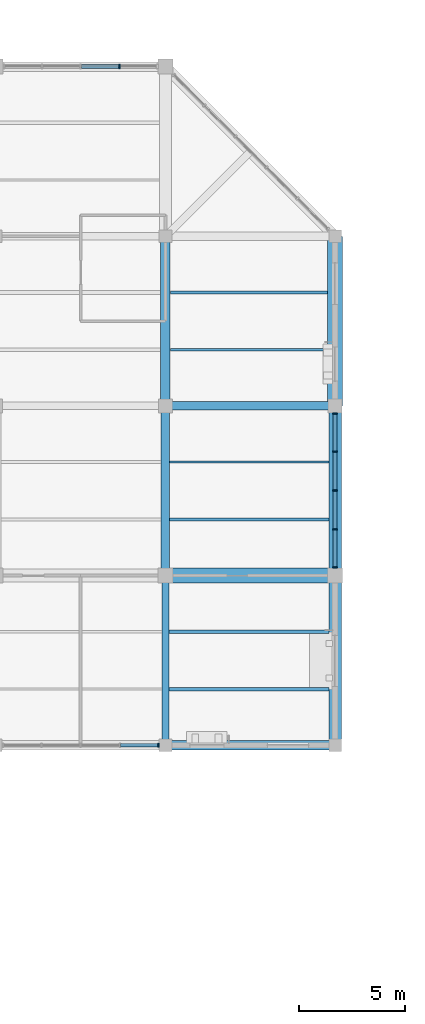
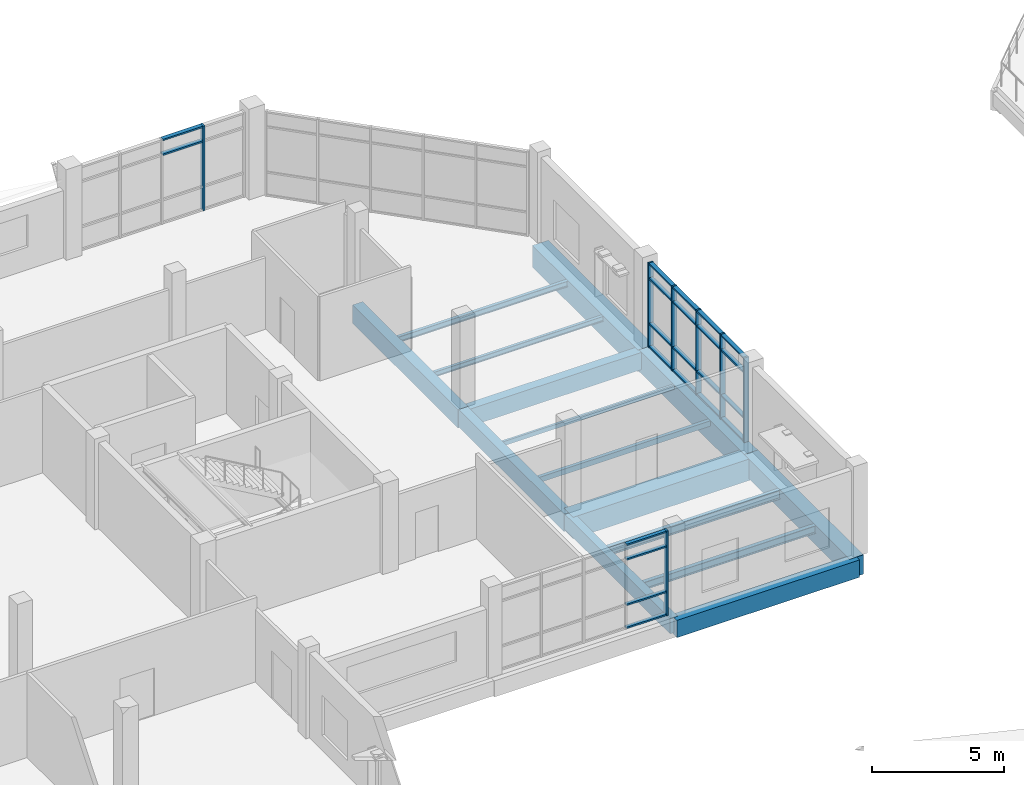
# One storey, part 34 of 84: 29 members, 15 beams, 3 elements without a shape of their own.
"""IFC4 building model written with IfcOpenShell, lengths in metres."""

from ifc_helpers import new_model, si_unit, direction, frame, origin, origin_2d, place, context, subcontext, project, spatial, rectangle, hollow_rectangle, i_section, extrude, material, material_profile, profile_set, type_object, element, aggregate, save


model = new_model("IFC4")

# Units and contexts
model_context = context("Model", 3, precision=1e-05, world=origin(), true_north=direction((0.0, 1.0)))
body_context = subcontext(model_context, "Body", "Model", "MODEL_VIEW")
ifc_project = project(units=[si_unit("LENGTHUNIT", "METRE"), si_unit("AREAUNIT", "SQUARE_METRE"), si_unit("VOLUMEUNIT", "CUBIC_METRE"), si_unit("PLANEANGLEUNIT", "RADIAN"), si_unit("MASSUNIT", "GRAM", prefix="KILO")], contexts=[model_context])

# Site, building, storey
site_placement = place(None, origin())
site = spatial("IfcSite", under=ifc_project, at=site_placement, CompositionType="ELEMENT")
building_placement = place(site_placement, origin())
building = spatial("IfcBuilding", under=site, at=building_placement, Name="Tenunan Teduh Sports Hall", CompositionType="ELEMENT")
storey_placement = place(building_placement, frame((0.0, 0.0, 10.800048828125)))
storey = spatial("IfcBuildingStorey", under=building, at=storey_placement, Name="L02", CompositionType="ELEMENT", Elevation=10.800048828125)

# Beams
ifc_material_1 = material(Name="Concrete C40/50", Category="concrete")
ifc_material_profile_1 = material_profile(ifc_material_1, rectangle(XDim=0.35009765625, YDim=0.699951171875, at=origin_2d()), Name="RCB 350x700")
ifc_profile_set_1 = profile_set([ifc_material_profile_1], Name="Concrete C40/50")
beam_type_1 = type_object("IfcBeamType", Name="BM-RC-350x700", PredefinedType="BEAM", material=ifc_profile_set_1)
beam_1_placement = place(storey_placement, frame((70.0, 86.0, -0.610107421875), z_axis=(0.0, 1.0, 0.0), x_axis=(-1.0, 0.0, 0.0)))
element("IfcBeam", 1, at=beam_1_placement, inside=storey, type_object=beam_type_1, Name="BM-B-06-L02-1616", PredefinedType="BEAM", context=body_context, shape_type="SweptSolid", body=[
    extrude(rectangle(XDim=0.35009765625, YDim=0.699951171875, at=origin_2d()), origin(), (0.0, 0.0, 1.0), 8.0),
])
ifc_material_2 = material(Name="Concrete C40/50", Category="concrete")
ifc_material_profile_2 = material_profile(ifc_material_2, rectangle(XDim=0.39990234375, YDim=0.800048828125, at=origin_2d()), Name="RCB 400x800")
ifc_profile_set_2 = profile_set([ifc_material_profile_2], Name="Concrete C40/50")
beam_type_2 = type_object("IfcBeamType", Name="BM-RC-400x800", PredefinedType="BEAM", material=ifc_profile_set_2)
for number, where, z_axis, x_axis, name in (
    (2, (70.0, 102.0, -0.66015625), (1.0, 0.0, 0.0), (0.0, 1.0, 0.0), "BM-B-10-L02-1532"),
    (3, (70.0, 94.0, -0.66015625), (0.0, 1.0, 0.0), (-1.0, 0.0, 0.0), "BM-B-10-L02-1617"),
):
    element("IfcBeam", number, at=place(storey_placement, frame(where, z_axis=z_axis, x_axis=x_axis)), inside=storey, type_object=beam_type_2, Name=name, PredefinedType="BEAM", context=body_context, shape_type="SweptSolid", body=[
        extrude(rectangle(XDim=0.39990234375, YDim=0.800048828125, at=origin_2d()), origin(), (0.0, 0.0, 1.0), 8.0),
    ])
ifc_material_3 = material(Name="Concrete C40/50", Category="concrete")
ifc_material_profile_3 = material_profile(ifc_material_3, rectangle(XDim=0.449951171875, YDim=0.800048828125, at=origin_2d()), Name="RCB 450x800")
ifc_profile_set_3 = profile_set([ifc_material_profile_3], Name="Concrete C40/50")
beam_type_3 = type_object("IfcBeamType", Name="BM-RC-450x800", PredefinedType="BEAM", material=ifc_profile_set_3)
beam_2_placement = place(storey_placement, frame((70.0, 86.0, -0.66015625), z_axis=(1.0, 0.0, 0.0), x_axis=(0.0, 1.0, 0.0)))
element("IfcBeam", 4, at=beam_2_placement, inside=storey, type_object=beam_type_3, Name="BM-B-12-L02-1499", PredefinedType="BEAM", context=body_context, shape_type="SweptSolid", body=[
    extrude(rectangle(XDim=0.449951171875, YDim=0.800048828125, at=origin_2d()), origin(), (0.0, 0.0, 1.0), 8.0),
])
ifc_material_4 = material(Name="Concrete C40/50", Category="concrete")
ifc_material_profile_4 = material_profile(ifc_material_4, rectangle(XDim=0.449951171875, YDim=0.85009765625, at=origin_2d()), Name="RCB 450x850")
ifc_profile_set_4 = profile_set([ifc_material_profile_4], Name="Concrete C40/50")
beam_type_4 = type_object("IfcBeamType", Name="BM-RC-450x850", PredefinedType="BEAM", material=ifc_profile_set_4)
beam_3_placement = place(storey_placement, frame((70.0, 102.0, -0.68505859375), z_axis=(0.0, 1.0, 0.0), x_axis=(-1.0, 0.0, 0.0)))
element("IfcBeam", 5, at=beam_3_placement, inside=storey, type_object=beam_type_4, Name="BM-B-13-L02-1618", PredefinedType="BEAM", context=body_context, shape_type="SweptSolid", body=[
    extrude(rectangle(XDim=0.449951171875, YDim=0.85009765625, at=origin_2d()), origin(), (0.0, 0.0, 1.0), 8.0),
])
ifc_material_5 = material(Name="Concrete C40/50", Category="concrete")
ifc_material_profile_5 = material_profile(ifc_material_5, rectangle(XDim=0.60009765625, YDim=1.0, at=origin_2d()), Name="RCB 600x1000")
ifc_profile_set_5 = profile_set([ifc_material_profile_5], Name="Concrete C40/50")
beam_type_5 = type_object("IfcBeamType", Name="BM-RC-600x1000", PredefinedType="BEAM", material=ifc_profile_set_5)
beam_4_placement = place(storey_placement, frame((78.0, 94.0, -0.760009765625), z_axis=(0.0, 1.0, 0.0), x_axis=(-1.0, 0.0, 0.0)))
element("IfcBeam", 6, at=beam_4_placement, inside=storey, type_object=beam_type_5, Name="BM-B-18-L02-1621", PredefinedType="BEAM", context=body_context, shape_type="SweptSolid", body=[
    extrude(rectangle(XDim=0.60009765625, YDim=1.0, at=origin_2d()), origin(), (0.0, 0.0, 1.0), 8.0),
])
ifc_material_6 = material(Name="Concrete C40/50", Category="concrete")
ifc_material_profile_6 = material_profile(ifc_material_6, rectangle(XDim=0.60009765625, YDim=0.89990234375, at=origin_2d()), Name="RCB 600x900")
ifc_profile_set_6 = profile_set([ifc_material_profile_6], Name="Concrete C40/50")
beam_type_6 = type_object("IfcBeamType", Name="BM-RC-600x900", PredefinedType="BEAM", material=ifc_profile_set_6)
beam_5_placement = place(storey_placement, frame((78.0, 86.0, -0.7099609375), z_axis=(0.0, 1.0, 0.0), x_axis=(-1.0, 0.0, 0.0)))
element("IfcBeam", 7, at=beam_5_placement, inside=storey, type_object=beam_type_6, Name="BM-B-17-L02-1620", PredefinedType="BEAM", context=body_context, shape_type="SweptSolid", body=[
    extrude(rectangle(XDim=0.60009765625, YDim=0.89990234375, at=origin_2d()), origin(), (0.0, 0.0, 1.0), 8.0),
])
ifc_material_7 = material(Name="Concrete C40/50", Category="concrete")
ifc_material_profile_7 = material_profile(ifc_material_7, rectangle(XDim=0.699951171875, YDim=1.0, at=origin_2d()), Name="RCB 700x1000")
ifc_profile_set_7 = profile_set([ifc_material_profile_7], Name="Concrete C40/50")
beam_type_7 = type_object("IfcBeamType", Name="BM-RC-700x1000", PredefinedType="SPANDREL", material=ifc_profile_set_7)
for number, where, z_axis, x_axis, name in (
    (8, (70.0, 94.0, -0.760009765625), (1.0, 0.0, 0.0), (0.0, 1.0, 0.0), "BM-B-19-L02-1515"),
    (9, (78.0, 102.0, -0.760009765625), (0.0, 1.0, 0.0), (-1.0, 0.0, 0.0), "BM-B-19-L02-1622"),
):
    element("IfcBeam", number, at=place(storey_placement, frame(where, z_axis=z_axis, x_axis=x_axis)), inside=storey, type_object=beam_type_7, Name=name, PredefinedType="SPANDREL", context=body_context, shape_type="SweptSolid", body=[
        extrude(rectangle(XDim=0.699951171875, YDim=1.0, at=origin_2d()), origin(), (0.0, 0.0, 1.0), 8.0),
    ])

# Curtain wall, member
ifc_material_8 = material(Name="Anodised aluminium", Category="aluminium")
curtain_wall_type = type_object("IfcCurtainWallType", Name="CW-UNIT-2", PredefinedType="NOTDEFINED", material=ifc_material_8)
curtain_wall_1_placement = place(storey_placement, origin())
curtain_wall_1 = element("IfcCurtainWall", 10, at=curtain_wall_1_placement, inside=storey, type_object=curtain_wall_type, Name="CW-CWM-200-L02-212", PredefinedType="NOTDEFINED")
ifc_material_9 = material(Name="Anodised aluminium", Category="aluminium")
ifc_material_profile_8 = material_profile(ifc_material_9, rectangle(XDim=0.070068359375, YDim=0.199951171875, at=origin_2d()), Name="CWM 70x200")
ifc_profile_set_8 = profile_set([ifc_material_profile_8], Name="Anodised aluminium")
member_type_1 = type_object("IfcMemberType", Name="CWM-200", PredefinedType="MULLION", material=ifc_profile_set_8)
member_1_placement = place(storey_placement, frame((69.6650390625, 86.0, 0.0), z_axis=(0.0, 0.0, 1.0), x_axis=(1.0, 0.0, 0.0)))
member_1 = element("IfcMember", 11, at=member_1_placement, type_object=member_type_1, Name="CW-02 mullion 5", PredefinedType="MULLION", context=body_context, shape_type="SweptSolid", body=[
    extrude(rectangle(XDim=0.070068359375, YDim=0.199951171875, at=origin_2d()), origin(), (0.0, 0.0, 1.0), 3.919921875),
])

# Curtain wall, members
curtain_wall_2_placement = place(storey_placement, origin())
curtain_wall_2 = element("IfcCurtainWall", 12, at=curtain_wall_2_placement, inside=storey, type_object=curtain_wall_type, Name="CW-CWM-220-L02-213", PredefinedType="NOTDEFINED")
ifc_material_10 = material(Name="Anodised aluminium", Category="aluminium")
ifc_material_profile_9 = material_profile(ifc_material_10, rectangle(XDim=0.074951171875, YDim=0.219970703125, at=origin_2d()), Name="CWM 75x220")
ifc_profile_set_9 = profile_set([ifc_material_profile_9], Name="Anodised aluminium")
member_type_2 = type_object("IfcMemberType", Name="CWM-220", PredefinedType="MULLION", material=ifc_profile_set_9)
member_2_placement = place(storey_placement, frame((78.0, 94.387451171875, 0.0), z_axis=(0.0, 0.0, 1.0), x_axis=(0.0, 1.0, 0.0)))
member_2 = element("IfcMember", 13, at=member_2_placement, type_object=member_type_2, Name="CW-02 mullion 1", PredefinedType="MULLION", context=body_context, shape_type="SweptSolid", body=[
    extrude(rectangle(XDim=0.074951171875, YDim=0.219970703125, at=origin_2d()), origin(), (0.0, 0.0, 1.0), 3.919921875),
])
member_3_placement = place(storey_placement, frame((78.0, 96.18115234375, 0.0), z_axis=(0.0, 0.0, 1.0), x_axis=(0.0, 1.0, 0.0)))
member_3 = element("IfcMember", 14, at=member_3_placement, type_object=member_type_2, Name="CW-02 mullion 2", PredefinedType="MULLION", context=body_context, shape_type="SweptSolid", body=[
    extrude(rectangle(XDim=0.074951171875, YDim=0.219970703125, at=origin_2d()), origin(), (0.0, 0.0, 1.0), 3.919921875),
])
member_4_placement = place(storey_placement, frame((78.0, 98.012451171875, 0.0), z_axis=(0.0, 0.0, 1.0), x_axis=(0.0, 1.0, 0.0)))
member_4 = element("IfcMember", 15, at=member_4_placement, type_object=member_type_2, Name="CW-02 mullion 3", PredefinedType="MULLION", context=body_context, shape_type="SweptSolid", body=[
    extrude(rectangle(XDim=0.074951171875, YDim=0.219970703125, at=origin_2d()), origin(), (0.0, 0.0, 1.0), 3.919921875),
])
member_5_placement = place(storey_placement, frame((78.0, 99.84375, 0.0), z_axis=(0.0, 0.0, 1.0), x_axis=(0.0, 1.0, 0.0)))
member_5 = element("IfcMember", 16, at=member_5_placement, type_object=member_type_2, Name="CW-02 mullion 4", PredefinedType="MULLION", context=body_context, shape_type="SweptSolid", body=[
    extrude(rectangle(XDim=0.074951171875, YDim=0.219970703125, at=origin_2d()), origin(), (0.0, 0.0, 1.0), 3.919921875),
])
member_6_placement = place(storey_placement, frame((78.0, 101.637451171875, 0.0), z_axis=(0.0, 0.0, 1.0), x_axis=(0.0, 1.0, 0.0)))
member_6 = element("IfcMember", 17, at=member_6_placement, type_object=member_type_2, Name="CW-02 mullion 5", PredefinedType="MULLION", context=body_context, shape_type="SweptSolid", body=[
    extrude(rectangle(XDim=0.074951171875, YDim=0.219970703125, at=origin_2d()), origin(), (0.0, 0.0, 1.0), 3.919921875),
])

# Curtain wall, member
curtain_wall_3_placement = place(storey_placement, origin())
curtain_wall_3 = element("IfcCurtainWall", 18, at=curtain_wall_3_placement, inside=storey, type_object=curtain_wall_type, Name="CW-CWM-220-L02-217", PredefinedType="NOTDEFINED")
member_7_placement = place(storey_placement, frame((67.824951171875, 118.0, 0.0), z_axis=(0.0, 0.0, 1.0), x_axis=(1.0, 0.0, 0.0)))
member_7 = element("IfcMember", 19, at=member_7_placement, type_object=member_type_2, Name="CW-02 mullion 4", PredefinedType="MULLION", context=body_context, shape_type="SweptSolid", body=[
    extrude(rectangle(XDim=0.074951171875, YDim=0.219970703125, at=origin_2d()), origin(), (0.0, 0.0, 1.0), 3.919921875),
])

# Member
ifc_material_11 = material(Name="Anodised aluminium", Category="aluminium")
ifc_material_profile_10 = material_profile(ifc_material_11, rectangle(XDim=0.074951171875, YDim=0.179931640625, at=origin_2d()), Name="CWT 75x180")
ifc_profile_set_10 = profile_set([ifc_material_profile_10], Name="Anodised aluminium")
member_type_3 = type_object("IfcMemberType", Name="CWT-180", PredefinedType="USERDEFINED", material=ifc_profile_set_10)
member_8_placement = place(storey_placement, frame((78.0, 94.425048828125, 0.037353515625), z_axis=(0.0, 1.0, 0.0), x_axis=(0.0, 0.0, 1.0)))
member_8 = element("IfcMember", 20, at=member_8_placement, type_object=member_type_3, Name="CW-02 transom 1.1", ObjectType="TRANSOM", PredefinedType="USERDEFINED", context=body_context, shape_type="SweptSolid", body=[
    extrude(rectangle(XDim=0.074951171875, YDim=0.179931640625, at=origin_2d()), origin(), (0.0, 0.0, 1.0), 1.71875),
])

member_9_placement = place(storey_placement, frame((78.0, 94.425048828125, 1.099853515625), z_axis=(0.0, 1.0, 0.0), x_axis=(0.0, 0.0, 1.0)))
member_9 = element("IfcMember", 21, at=member_9_placement, type_object=member_type_3, Name="CW-02 transom 1.2", ObjectType="TRANSOM", PredefinedType="USERDEFINED", context=body_context, shape_type="SweptSolid", body=[
    extrude(rectangle(XDim=0.074951171875, YDim=0.179931640625, at=origin_2d()), origin(), (0.0, 0.0, 1.0), 1.71875),
])

member_10_placement = place(storey_placement, frame((78.0, 94.425048828125, 3.199951171875), z_axis=(0.0, 1.0, 0.0), x_axis=(0.0, 0.0, 1.0)))
member_10 = element("IfcMember", 22, at=member_10_placement, type_object=member_type_3, Name="CW-02 transom 1.3", ObjectType="TRANSOM", PredefinedType="USERDEFINED", context=body_context, shape_type="SweptSolid", body=[
    extrude(rectangle(XDim=0.074951171875, YDim=0.179931640625, at=origin_2d()), origin(), (0.0, 0.0, 1.0), 1.71875),
])

member_11_placement = place(storey_placement, frame((78.0, 94.425048828125, 3.882568359375), z_axis=(0.0, 1.0, 0.0), x_axis=(0.0, 0.0, 1.0)))
member_11 = element("IfcMember", 23, at=member_11_placement, type_object=member_type_3, Name="CW-02 transom 1.4", ObjectType="TRANSOM", PredefinedType="USERDEFINED", context=body_context, shape_type="SweptSolid", body=[
    extrude(rectangle(XDim=0.074951171875, YDim=0.179931640625, at=origin_2d()), origin(), (0.0, 0.0, 1.0), 1.71875),
])

member_12_placement = place(storey_placement, frame((78.0, 96.21875, 0.037353515625), z_axis=(0.0, 1.0, 0.0), x_axis=(0.0, 0.0, 1.0)))
member_12 = element("IfcMember", 24, at=member_12_placement, type_object=member_type_3, Name="CW-02 transom 2.1", ObjectType="TRANSOM", PredefinedType="USERDEFINED", context=body_context, shape_type="SweptSolid", body=[
    extrude(rectangle(XDim=0.074951171875, YDim=0.179931640625, at=origin_2d()), origin(), (0.0, 0.0, 1.0), 1.75634765625),
])

member_13_placement = place(storey_placement, frame((78.0, 96.21875, 1.099853515625), z_axis=(0.0, 1.0, 0.0), x_axis=(0.0, 0.0, 1.0)))
member_13 = element("IfcMember", 25, at=member_13_placement, type_object=member_type_3, Name="CW-02 transom 2.2", ObjectType="TRANSOM", PredefinedType="USERDEFINED", context=body_context, shape_type="SweptSolid", body=[
    extrude(rectangle(XDim=0.074951171875, YDim=0.179931640625, at=origin_2d()), origin(), (0.0, 0.0, 1.0), 1.75634765625),
])

member_14_placement = place(storey_placement, frame((78.0, 96.21875, 3.199951171875), z_axis=(0.0, 1.0, 0.0), x_axis=(0.0, 0.0, 1.0)))
member_14 = element("IfcMember", 26, at=member_14_placement, type_object=member_type_3, Name="CW-02 transom 2.3", ObjectType="TRANSOM", PredefinedType="USERDEFINED", context=body_context, shape_type="SweptSolid", body=[
    extrude(rectangle(XDim=0.074951171875, YDim=0.179931640625, at=origin_2d()), origin(), (0.0, 0.0, 1.0), 1.75634765625),
])

member_15_placement = place(storey_placement, frame((78.0, 96.21875, 3.882568359375), z_axis=(0.0, 1.0, 0.0), x_axis=(0.0, 0.0, 1.0)))
member_15 = element("IfcMember", 27, at=member_15_placement, type_object=member_type_3, Name="CW-02 transom 2.4", ObjectType="TRANSOM", PredefinedType="USERDEFINED", context=body_context, shape_type="SweptSolid", body=[
    extrude(rectangle(XDim=0.074951171875, YDim=0.179931640625, at=origin_2d()), origin(), (0.0, 0.0, 1.0), 1.75634765625),
])

member_16_placement = place(storey_placement, frame((78.0, 98.050048828125, 0.037353515625), z_axis=(0.0, 1.0, 0.0), x_axis=(0.0, 0.0, 1.0)))
member_16 = element("IfcMember", 28, at=member_16_placement, type_object=member_type_3, Name="CW-02 transom 3.1", ObjectType="TRANSOM", PredefinedType="USERDEFINED", context=body_context, shape_type="SweptSolid", body=[
    extrude(rectangle(XDim=0.074951171875, YDim=0.179931640625, at=origin_2d()), origin(), (0.0, 0.0, 1.0), 1.756103515625),
])

member_17_placement = place(storey_placement, frame((78.0, 98.050048828125, 1.099853515625), z_axis=(0.0, 1.0, 0.0), x_axis=(0.0, 0.0, 1.0)))
member_17 = element("IfcMember", 29, at=member_17_placement, type_object=member_type_3, Name="CW-02 transom 3.2", ObjectType="TRANSOM", PredefinedType="USERDEFINED", context=body_context, shape_type="SweptSolid", body=[
    extrude(rectangle(XDim=0.074951171875, YDim=0.179931640625, at=origin_2d()), origin(), (0.0, 0.0, 1.0), 1.756103515625),
])

member_18_placement = place(storey_placement, frame((78.0, 98.050048828125, 3.199951171875), z_axis=(0.0, 1.0, 0.0), x_axis=(0.0, 0.0, 1.0)))
member_18 = element("IfcMember", 30, at=member_18_placement, type_object=member_type_3, Name="CW-02 transom 3.3", ObjectType="TRANSOM", PredefinedType="USERDEFINED", context=body_context, shape_type="SweptSolid", body=[
    extrude(rectangle(XDim=0.074951171875, YDim=0.179931640625, at=origin_2d()), origin(), (0.0, 0.0, 1.0), 1.756103515625),
])

member_19_placement = place(storey_placement, frame((78.0, 98.050048828125, 3.882568359375), z_axis=(0.0, 1.0, 0.0), x_axis=(0.0, 0.0, 1.0)))
member_19 = element("IfcMember", 31, at=member_19_placement, type_object=member_type_3, Name="CW-02 transom 3.4", ObjectType="TRANSOM", PredefinedType="USERDEFINED", context=body_context, shape_type="SweptSolid", body=[
    extrude(rectangle(XDim=0.074951171875, YDim=0.179931640625, at=origin_2d()), origin(), (0.0, 0.0, 1.0), 1.756103515625),
])

member_20_placement = place(storey_placement, frame((78.0, 99.88134765625, 0.037353515625), z_axis=(0.0, 1.0, 0.0), x_axis=(0.0, 0.0, 1.0)))
member_20 = element("IfcMember", 32, at=member_20_placement, type_object=member_type_3, Name="CW-02 transom 4.1", ObjectType="TRANSOM", PredefinedType="USERDEFINED", context=body_context, shape_type="SweptSolid", body=[
    extrude(rectangle(XDim=0.074951171875, YDim=0.179931640625, at=origin_2d()), origin(), (0.0, 0.0, 1.0), 1.71875),
])

member_21_placement = place(storey_placement, frame((78.0, 99.88134765625, 1.099853515625), z_axis=(0.0, 1.0, 0.0), x_axis=(0.0, 0.0, 1.0)))
member_21 = element("IfcMember", 33, at=member_21_placement, type_object=member_type_3, Name="CW-02 transom 4.2", ObjectType="TRANSOM", PredefinedType="USERDEFINED", context=body_context, shape_type="SweptSolid", body=[
    extrude(rectangle(XDim=0.074951171875, YDim=0.179931640625, at=origin_2d()), origin(), (0.0, 0.0, 1.0), 1.71875),
])

member_22_placement = place(storey_placement, frame((78.0, 99.88134765625, 3.199951171875), z_axis=(0.0, 1.0, 0.0), x_axis=(0.0, 0.0, 1.0)))
member_22 = element("IfcMember", 34, at=member_22_placement, type_object=member_type_3, Name="CW-02 transom 4.3", ObjectType="TRANSOM", PredefinedType="USERDEFINED", context=body_context, shape_type="SweptSolid", body=[
    extrude(rectangle(XDim=0.074951171875, YDim=0.179931640625, at=origin_2d()), origin(), (0.0, 0.0, 1.0), 1.71875),
])

member_23_placement = place(storey_placement, frame((78.0, 99.88134765625, 3.882568359375), z_axis=(0.0, 1.0, 0.0), x_axis=(0.0, 0.0, 1.0)))
member_23 = element("IfcMember", 35, at=member_23_placement, type_object=member_type_3, Name="CW-02 transom 4.4", ObjectType="TRANSOM", PredefinedType="USERDEFINED", context=body_context, shape_type="SweptSolid", body=[
    extrude(rectangle(XDim=0.074951171875, YDim=0.179931640625, at=origin_2d()), origin(), (0.0, 0.0, 1.0), 1.71875),
])

aggregate(curtain_wall_2, [member_2, member_3, member_4, member_5, member_6, member_8, member_9, member_10, member_11, member_12, member_13, member_14, member_15, member_16, member_17, member_18, member_19, member_20, member_21, member_22, member_23])

member_24_placement = place(storey_placement, frame((66.03759765625, 118.0, 3.199951171875), z_axis=(1.0, 0.0, 0.0), x_axis=(0.0, 0.0, 1.0)))
member_24 = element("IfcMember", 36, at=member_24_placement, type_object=member_type_3, Name="CW-02 transom 3.3", ObjectType="TRANSOM", PredefinedType="USERDEFINED", context=body_context, shape_type="SweptSolid", body=[
    extrude(rectangle(XDim=0.074951171875, YDim=0.179931640625, at=origin_2d()), origin(), (0.0, 0.0, 1.0), 1.75),
])

member_25_placement = place(storey_placement, frame((66.03759765625, 118.0, 3.882568359375), z_axis=(1.0, 0.0, 0.0), x_axis=(0.0, 0.0, 1.0)))
member_25 = element("IfcMember", 37, at=member_25_placement, type_object=member_type_3, Name="CW-02 transom 3.4", ObjectType="TRANSOM", PredefinedType="USERDEFINED", context=body_context, shape_type="SweptSolid", body=[
    extrude(rectangle(XDim=0.074951171875, YDim=0.179931640625, at=origin_2d()), origin(), (0.0, 0.0, 1.0), 1.75),
])

aggregate(curtain_wall_3, [member_7, member_24, member_25])

ifc_material_12 = material(Name="Anodised aluminium", Category="aluminium")
ifc_material_profile_11 = material_profile(ifc_material_12, rectangle(XDim=0.070068359375, YDim=0.159912109375, at=origin_2d()), Name="CWT 70x160")
ifc_profile_set_11 = profile_set([ifc_material_profile_11], Name="Anodised aluminium")
member_type_4 = type_object("IfcMemberType", Name="CWT-200", PredefinedType="USERDEFINED", material=ifc_profile_set_11)
member_26_placement = place(storey_placement, frame((67.885009765625, 86.0, 0.034912109375), z_axis=(1.0, 0.0, 0.0), x_axis=(0.0, 0.0, 1.0)))
member_26 = element("IfcMember", 38, at=member_26_placement, type_object=member_type_4, Name="CW-02 transom 4.1", ObjectType="TRANSOM", PredefinedType="USERDEFINED", context=body_context, shape_type="SweptSolid", body=[
    extrude(rectangle(XDim=0.070068359375, YDim=0.159912109375, at=origin_2d()), origin(), (0.0, 0.0, 1.0), 1.744873046875),
])

member_27_placement = place(storey_placement, frame((67.885009765625, 86.0, 1.099853515625), z_axis=(1.0, 0.0, 0.0), x_axis=(0.0, 0.0, 1.0)))
member_27 = element("IfcMember", 39, at=member_27_placement, type_object=member_type_4, Name="CW-02 transom 4.2", ObjectType="TRANSOM", PredefinedType="USERDEFINED", context=body_context, shape_type="SweptSolid", body=[
    extrude(rectangle(XDim=0.070068359375, YDim=0.159912109375, at=origin_2d()), origin(), (0.0, 0.0, 1.0), 1.744873046875),
])

member_28_placement = place(storey_placement, frame((67.885009765625, 86.0, 3.199951171875), z_axis=(1.0, 0.0, 0.0), x_axis=(0.0, 0.0, 1.0)))
member_28 = element("IfcMember", 40, at=member_28_placement, type_object=member_type_4, Name="CW-02 transom 4.3", ObjectType="TRANSOM", PredefinedType="USERDEFINED", context=body_context, shape_type="SweptSolid", body=[
    extrude(rectangle(XDim=0.070068359375, YDim=0.159912109375, at=origin_2d()), origin(), (0.0, 0.0, 1.0), 1.744873046875),
])

member_29_placement = place(storey_placement, frame((67.885009765625, 86.0, 3.885009765625), z_axis=(1.0, 0.0, 0.0), x_axis=(0.0, 0.0, 1.0)))
member_29 = element("IfcMember", 41, at=member_29_placement, type_object=member_type_4, Name="CW-02 transom 4.4", ObjectType="TRANSOM", PredefinedType="USERDEFINED", context=body_context, shape_type="SweptSolid", body=[
    extrude(rectangle(XDim=0.070068359375, YDim=0.159912109375, at=origin_2d()), origin(), (0.0, 0.0, 1.0), 1.744873046875),
])

aggregate(curtain_wall_1, [member_1, member_26, member_27, member_28, member_29])

# Beams
ifc_material_13 = material(Name="Steel S355", Category="steel")
ifc_material_profile_12 = material_profile(ifc_material_13, i_section(OverallWidth=0.1201171875, OverallDepth=0.239990234375, WebThickness=0.006103515625, FlangeThickness=0.009765625, FilletRadius=0.014892578125, at=origin_2d()), Name="IPE 240")
ifc_profile_set_12 = profile_set([ifc_material_profile_12], Name="Steel S355")
beam_type_8 = type_object("IfcBeamType", Name="JST-IPE240", PredefinedType="JOIST", material=ifc_profile_set_12)
beam_6_placement = place(storey_placement, frame((70.22509765625, 104.64990234375, -0.380126953125), z_axis=(1.0, 0.0, 0.0), x_axis=(0.0, 1.0, 0.0)))
element("IfcBeam", 42, at=beam_6_placement, inside=storey, type_object=beam_type_8, Name="BM-J-02-L02-1748", PredefinedType="JOIST", context=body_context, shape_type="SweptSolid", body=[
    extrude(i_section(OverallWidth=0.1201171875, OverallDepth=0.239990234375, WebThickness=0.006103515625, FlangeThickness=0.009765625, FilletRadius=0.014892578125, at=origin_2d()), origin(), (0.0, 0.0, 1.0), 7.4248046875),
])
ifc_material_14 = material(Name="Steel S355", Category="steel")
ifc_material_profile_13 = material_profile(ifc_material_14, i_section(OverallWidth=0.135009765625, OverallDepth=0.27001953125, WebThickness=0.006591796875, FlangeThickness=0.01025390625, FilletRadius=0.014892578125, at=origin_2d()), Name="IPE 270")
ifc_profile_set_13 = profile_set([ifc_material_profile_13], Name="Steel S355")
beam_type_9 = type_object("IfcBeamType", Name="JST-IPE270", PredefinedType="JOIST", material=ifc_profile_set_13)
beam_7_placement = place(storey_placement, frame((70.22509765625, 107.35009765625, -0.39501953125), z_axis=(1.0, 0.0, 0.0), x_axis=(0.0, 1.0, 0.0)))
element("IfcBeam", 43, at=beam_7_placement, inside=storey, type_object=beam_type_9, Name="BM-J-03-L02-1749", PredefinedType="JOIST", context=body_context, shape_type="SweptSolid", body=[
    extrude(i_section(OverallWidth=0.135009765625, OverallDepth=0.27001953125, WebThickness=0.006591796875, FlangeThickness=0.01025390625, FilletRadius=0.014892578125, at=origin_2d()), origin(), (0.0, 0.0, 1.0), 7.4248046875),
])
ifc_material_15 = material(Name="Steel S355", Category="steel")
ifc_material_profile_14 = material_profile(ifc_material_15, hollow_rectangle(XDim=0.10009765625, YDim=0.199951171875, WallThickness=0.008056640625, at=origin_2d()), Name="RHS 200x100x8.0")
ifc_profile_set_14 = profile_set([ifc_material_profile_14], Name="Steel S355")
beam_type_10 = type_object("IfcBeamType", Name="RBM-RHS200", PredefinedType="JOIST", material=ifc_profile_set_14)
beam_8_placement = place(storey_placement, frame((70.199951171875, 99.35009765625, -0.360107421875), z_axis=(1.0, 0.0, 0.0), x_axis=(0.0, 1.0, 0.0)))
element("IfcBeam", 44, at=beam_8_placement, inside=storey, type_object=beam_type_10, Name="Perimeter Ring Beam BM-RB-05-L02-1747", PredefinedType="JOIST", context=body_context, shape_type="SweptSolid", body=[
    extrude(hollow_rectangle(XDim=0.10009765625, YDim=0.199951171875, WallThickness=0.008056640625, at=origin_2d()), origin(), (0.0, 0.0, 1.0), 7.5),
])
ifc_material_16 = material(Name="Steel S355", Category="steel")
ifc_material_profile_15 = material_profile(ifc_material_16, hollow_rectangle(XDim=0.14990234375, YDim=0.25, WallThickness=0.010009765625, at=origin_2d()), Name="RHS 250x150x10.0")
ifc_profile_set_15 = profile_set([ifc_material_profile_15], Name="Steel S355")
beam_type_11 = type_object("IfcBeamType", Name="RBM-RHS250", PredefinedType="BEAM", material=ifc_profile_set_15)
beam_9_placement = place(storey_placement, frame((70.199951171875, 96.64990234375, -0.385009765625), z_axis=(1.0, 0.0, 0.0), x_axis=(0.0, 1.0, 0.0)))
element("IfcBeam", 45, at=beam_9_placement, inside=storey, type_object=beam_type_11, Name="Perimeter Ring Beam BM-RB-04-L02-1746", PredefinedType="BEAM", context=body_context, shape_type="SweptSolid", body=[
    extrude(hollow_rectangle(XDim=0.14990234375, YDim=0.25, WallThickness=0.010009765625, at=origin_2d()), origin(), (0.0, 0.0, 1.0), 7.5),
])
ifc_material_17 = material(Name="Steel S355", Category="steel")
ifc_material_profile_16 = material_profile(ifc_material_17, i_section(OverallWidth=0.17138671875, OverallDepth=0.35498046875, WebThickness=0.00732421875, FlangeThickness=0.011474609375, FilletRadius=0.01025390625, at=origin_2d()), Name="UKB 356x171x51")
ifc_profile_set_16 = profile_set([ifc_material_profile_16], Name="Steel S355")
beam_type_12 = type_object("IfcBeamType", Name="SBM-UKB356", PredefinedType="BEAM", material=ifc_profile_set_16)
beam_10_placement = place(storey_placement, frame((70.175048828125, 88.64990234375, -0.4375), z_axis=(1.0, 0.0, 0.0), x_axis=(0.0, 1.0, 0.0)))
element("IfcBeam", 46, at=beam_10_placement, inside=storey, type_object=beam_type_12, Name="BM-SB-02-L02-1744", PredefinedType="BEAM", context=body_context, shape_type="SweptSolid", body=[
    extrude(i_section(OverallWidth=0.17138671875, OverallDepth=0.35498046875, WebThickness=0.00732421875, FlangeThickness=0.011474609375, FilletRadius=0.01025390625, at=origin_2d()), origin(), (0.0, 0.0, 1.0), 7.52490234375),
])
ifc_material_18 = material(Name="Steel S355", Category="steel")
ifc_material_profile_17 = material_profile(ifc_material_18, i_section(OverallWidth=0.177978515625, OverallDepth=0.406494140625, WebThickness=0.0078125, FlangeThickness=0.0126953125, FilletRadius=0.01025390625, at=origin_2d()), Name="UKB 406x178x60")
ifc_profile_set_17 = profile_set([ifc_material_profile_17], Name="Steel S355")
beam_type_13 = type_object("IfcBeamType", Name="SBM-UKB406", PredefinedType="BEAM", material=ifc_profile_set_17)
beam_11_placement = place(storey_placement, frame((70.175048828125, 91.35009765625, -0.463134765625), z_axis=(1.0, 0.0, 0.0), x_axis=(0.0, 1.0, 0.0)))
element("IfcBeam", 47, at=beam_11_placement, inside=storey, type_object=beam_type_13, Name="BM-SB-03-L02-1745", PredefinedType="BEAM", context=body_context, shape_type="SweptSolid", body=[
    extrude(i_section(OverallWidth=0.177978515625, OverallDepth=0.406494140625, WebThickness=0.0078125, FlangeThickness=0.0126953125, FilletRadius=0.01025390625, at=origin_2d()), origin(), (0.0, 0.0, 1.0), 7.52490234375),
])

save(model, "model.ifc")
